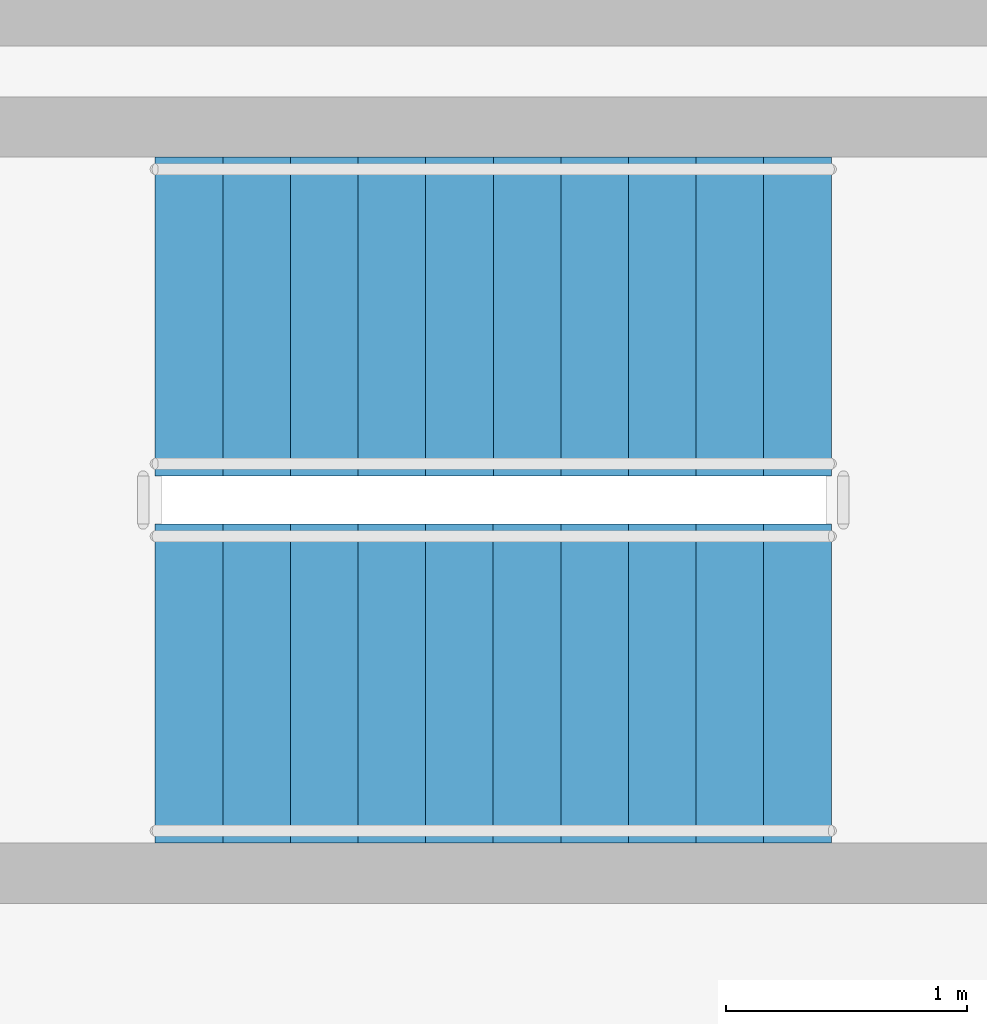
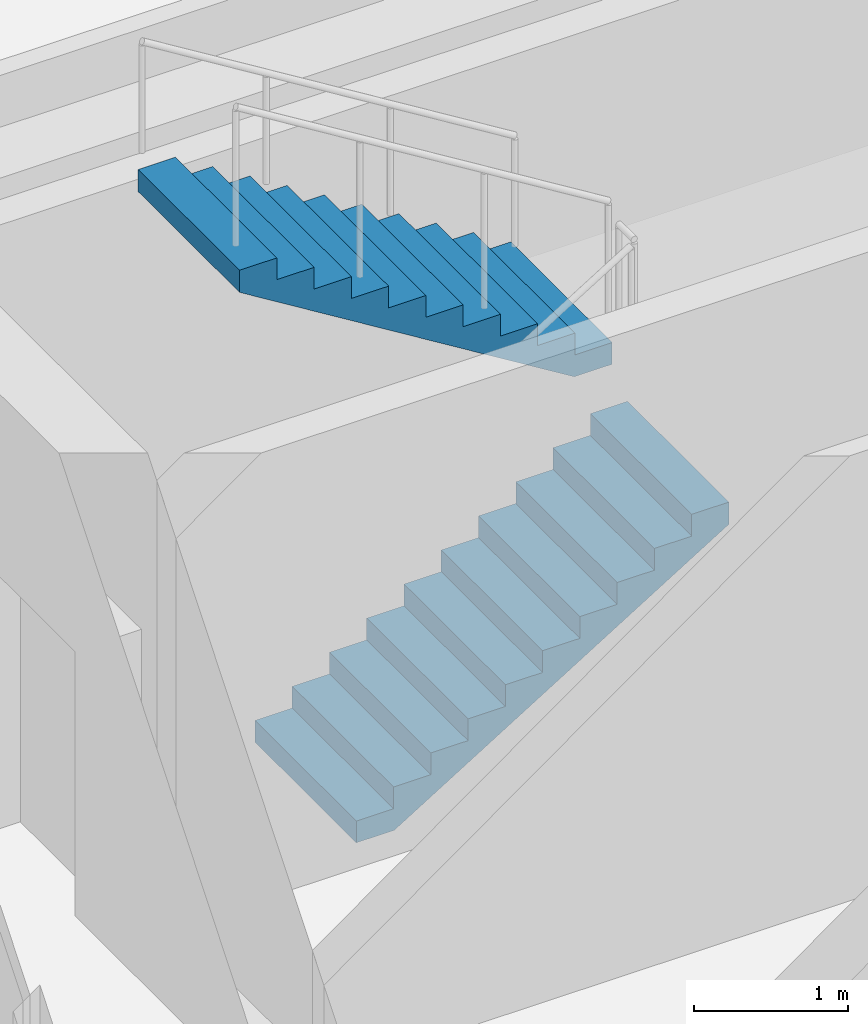
# One storey, part 7 of 8: 2 stair flights, 1 element without a shape of its own.
"""IFC4 building model written with IfcOpenShell, lengths in metres."""

from ifc_helpers import new_model, si_unit, direction, frame, origin, place, context, subcontext, project, spatial, polyline, outline, extrude, material, type_object, element, aggregate, save


model = new_model("IFC4")

# Units and contexts
model_context = context("Model", 3, precision=1e-05, world=origin(), true_north=direction((0.0, 1.0)))
body_context = subcontext(model_context, "Body", "Model", "MODEL_VIEW")
ifc_project = project(units=[si_unit("LENGTHUNIT", "METRE"), si_unit("AREAUNIT", "SQUARE_METRE"), si_unit("VOLUMEUNIT", "CUBIC_METRE"), si_unit("PLANEANGLEUNIT", "RADIAN"), si_unit("MASSUNIT", "GRAM", prefix="KILO")], contexts=[model_context])

# Site, building, storey
site_placement = place(None, origin())
site = spatial("IfcSite", under=ifc_project, at=site_placement, CompositionType="ELEMENT")
building_placement = place(site_placement, origin())
building = spatial("IfcBuilding", under=site, at=building_placement, Name="Solnavia Interchange Tower", CompositionType="ELEMENT")
storey_placement = place(building_placement, frame((0.0, 0.0, 186.199951171875)))
storey = spatial("IfcBuildingStorey", under=building, at=storey_placement, Name="L46", CompositionType="ELEMENT", Elevation=186.199951171875)

# Stair, stair flights
ifc_material = material(Name="Concrete C40/50", Category="concrete")
stair_type = type_object("IfcStairType", Name="Stair-Dogleg-RC", PredefinedType="HALF_TURN_STAIR", material=ifc_material)
stair_placement = place(storey_placement, origin())
stair = element("IfcStair", 1, at=stair_placement, inside=storey, type_object=stair_type, Name="L46 Core exit stair 3", PredefinedType="HALF_TURN_STAIR")
stair_flight_type = type_object("IfcStairFlightType", Name="StairFlight-RC-150", PredefinedType="STRAIGHT", material=ifc_material)
stair_flight_1_placement = place(storey_placement, frame((16.14990234375, 22.31005859375, 0.0), z_axis=(0.0, 0.0, 1.0), x_axis=(1.0, 0.0, 0.0)))
stair_flight_1 = element("IfcStairFlight", 2, at=stair_flight_1_placement, type_object=stair_flight_type, Name="ST-3 flight 1", NumberOfRisers=11, NumberOfTreads=10, PredefinedType="STRAIGHT", RiserHeight=0.172727273, TreadLength=0.28, context=body_context, shape_type="SweptSolid", body=[
    extrude(outline(polyline([(0.0, 0.0), (0.0, 0.172607421875), (0.280029296875, 0.172607421875), (0.280029296875, 0.345458984375), (0.56005859375, 0.345458984375), (0.56005859375, 0.51806640625), (0.840087890625, 0.51806640625), (0.840087890625, 0.69091796875), (1.1201171875, 0.69091796875), (1.1201171875, 0.863525390625), (1.39990234375, 0.863525390625), (1.39990234375, 1.036376953125), (1.679931640625, 1.036376953125), (1.679931640625, 1.208984375), (1.9599609375, 1.208984375), (1.9599609375, 1.3818359375), (2.239990234375, 1.3818359375), (2.239990234375, 1.554443359375), (2.52001953125, 1.554443359375), (2.52001953125, 1.727294921875), (2.800048828125, 1.727294921875), (2.800048828125, 1.89990234375), (2.800048828125, 1.551025390625), (0.285400390625, 0.0), (0.0, 0.0)])), frame((0.0, 0.66015625, 0.0), z_axis=(0.0, -1.0, 0.0), x_axis=(1.0, 0.0, 0.0)), (0.0, 0.0, 1.0), 1.320068359375),
])
stair_flight_2_placement = place(storey_placement, frame((18.949951171875, 23.830078125, 1.900146484375), z_axis=(0.0, 0.0, 1.0), x_axis=(-1.0, 0.0, 0.0)))
stair_flight_2 = element("IfcStairFlight", 3, at=stair_flight_2_placement, type_object=stair_flight_type, Name="ST-3 flight 2", NumberOfRisers=11, NumberOfTreads=10, PredefinedType="STRAIGHT", RiserHeight=0.172727273, TreadLength=0.28, context=body_context, shape_type="SweptSolid", body=[
    extrude(outline(polyline([(0.0, 0.0), (0.0, 0.172607421875), (0.280029296875, 0.172607421875), (0.280029296875, 0.345458984375), (0.56005859375, 0.345458984375), (0.56005859375, 0.51806640625), (0.840087890625, 0.51806640625), (0.840087890625, 0.69091796875), (1.1201171875, 0.69091796875), (1.1201171875, 0.863525390625), (1.39990234375, 0.863525390625), (1.39990234375, 1.036376953125), (1.679931640625, 1.036376953125), (1.679931640625, 1.208984375), (1.9599609375, 1.208984375), (1.9599609375, 1.3818359375), (2.239990234375, 1.3818359375), (2.239990234375, 1.554443359375), (2.52001953125, 1.554443359375), (2.52001953125, 1.727294921875), (2.800048828125, 1.727294921875), (2.800048828125, 1.89990234375), (2.800048828125, 1.551025390625), (0.285400390625, 0.0), (0.0, 0.0)])), frame((0.0, 0.66015625, 0.0), z_axis=(0.0, -1.0, 0.0), x_axis=(1.0, 0.0, 0.0)), (0.0, 0.0, 1.0), 1.320068359375),
])
aggregate(stair, [stair_flight_1, stair_flight_2])

save(model, "model.ifc")
